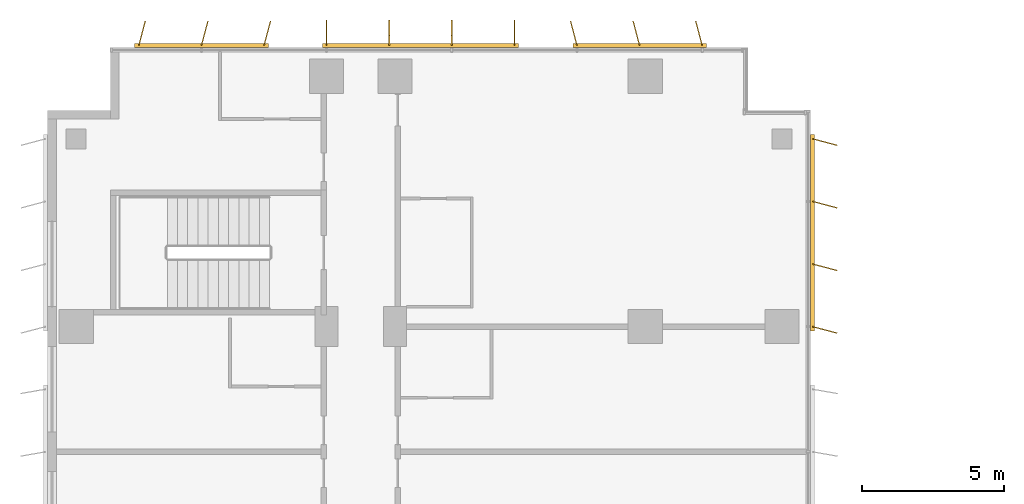
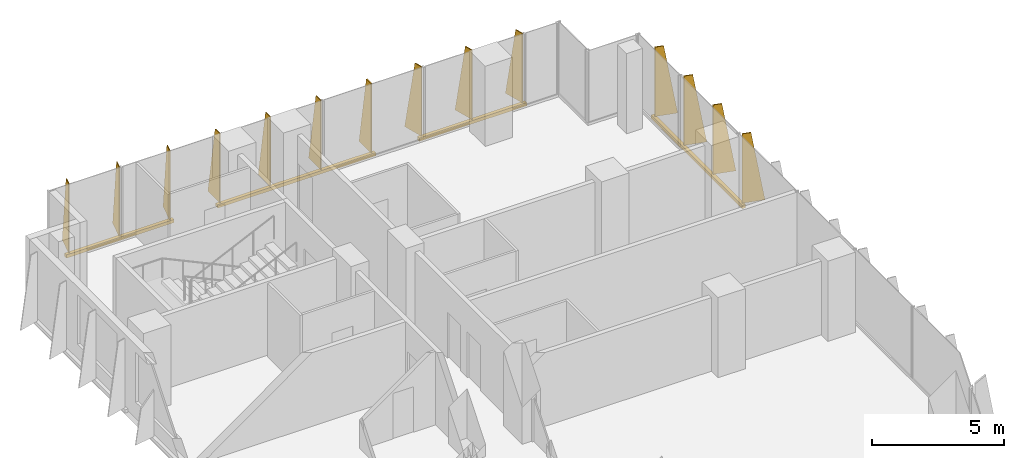
# One storey, part 23 of 23: 4 shading devices.
"""IFC4 building model written with IfcOpenShell, lengths in metres."""

from ifc_helpers import new_model, si_unit, direction, frame, origin, origin_2d, place, context, subcontext, project, spatial, polyline, rectangle, outline, extrude, source, transform, mapped, material, layer, layer_set, type_object, element, save


model = new_model("IFC4")

# Units and contexts
model_context = context("Model", 3, precision=1e-05, world=origin(), true_north=direction((0.0, 1.0)))
body_context = subcontext(model_context, "Body", "Model", "MODEL_VIEW")
ifc_project = project(units=[si_unit("LENGTHUNIT", "METRE"), si_unit("AREAUNIT", "SQUARE_METRE"), si_unit("VOLUMEUNIT", "CUBIC_METRE"), si_unit("PLANEANGLEUNIT", "RADIAN"), si_unit("MASSUNIT", "GRAM", prefix="KILO")], contexts=[model_context])

# Site, building, storey
site_placement = place(None, origin())
site = spatial("IfcSite", under=ifc_project, at=site_placement, CompositionType="ELEMENT")
building_placement = place(site_placement, origin())
building = spatial("IfcBuilding", under=site, at=building_placement, Name="Kemantara Hotel Tower", CompositionType="ELEMENT")
storey_placement = place(building_placement, frame((0.0, 0.0, 118.5)))
storey = spatial("IfcBuildingStorey", under=building, at=storey_placement, Name="L28", CompositionType="ELEMENT", Elevation=118.5)

# Shading devices
ifc_material = material(Name="Perforated aluminium plate 4 mm bronze anodised", Category="aluminium")
ifc_layer_1 = layer(ifc_material, 0.0400390625)
ifc_layer_set_1 = layer_set([ifc_layer_1], Name="Perforated aluminium plate 4 mm bronze anodised")
shading_device_type_1 = type_object("IfcShadingDeviceType", Name="SCREEN FIN CASSETTE, 3 BLADES AT -15.0 DEG, 3200 HIGH", PredefinedType="USERDEFINED", material=ifc_layer_set_1)
shared_shape_1 = source(origin(), body_context, "Body", "SweptSolid", [
    extrude(rectangle(XDim=4.699951171875, YDim=0.14990234375, at=origin_2d()), frame((2.199951171875, -0.074951171875, -0.14990234375), z_axis=(0.0, 0.0, 1.0), x_axis=(1.0, 0.0, 0.0)), (0.0, 0.0, 1.0), 0.14990234375),
    extrude(outline(polyline([(0.0, 0.0), (0.89990234375, 0.0), (0.35009765625, 3.199951171875), (0.0, 3.199951171875), (0.0, 0.0)])), frame((0.019287109375, -0.080078125, 0.0), z_axis=(-0.966437683387, 0.256901156343, 0.0), x_axis=(-0.256901156343, -0.966437683387, 0.0)), (0.0, 0.0, 1.0), 0.039794921875),
    extrude(outline(polyline([(0.0, 0.0), (0.89990234375, 0.0), (0.35009765625, 3.199951171875), (0.0, 3.199951171875), (0.0, 0.0)])), frame((2.21923828125, -0.080078125, 0.0), z_axis=(-0.966437683387, 0.256901156343, 0.0), x_axis=(-0.256901156343, -0.966437683387, 0.0)), (0.0, 0.0, 1.0), 0.039794921875),
    extrude(outline(polyline([(0.0, 0.0), (0.89990234375, 0.0), (0.35009765625, 3.199951171875), (0.0, 3.199951171875), (0.0, 0.0)])), frame((4.41943359375, -0.080078125, 0.0), z_axis=(-0.966837822169, 0.255391122837, 0.0), x_axis=(-0.255391122837, -0.966837822169, 0.0)), (0.0, 0.0, 1.0), 0.0400390625),
])
shading_device_1_placement = place(storey_placement, frame((7.60009765625, 81.199951171875, 0.10009765625), z_axis=(0.0, 0.0, 1.0), x_axis=(-1.0, 0.0, 0.0)))
element("IfcShadingDevice", 1, at=shading_device_1_placement, inside=storey, type_object=shading_device_type_1, Name="SCREEN FIN CASSETTE L28 T2-R01-3", ObjectType="SCREEN FIN", PredefinedType="USERDEFINED", context=body_context, shape_type="MappedRepresentation", body=[
    mapped(shared_shape_1, transform((0.0, 0.0, 0.0))),
])
ifc_layer_2 = layer(ifc_material, 0.0400390625)
ifc_layer_set_2 = layer_set([ifc_layer_2], Name="Perforated aluminium plate 4 mm bronze anodised")
shading_device_type_2 = type_object("IfcShadingDeviceType", Name="SCREEN FIN CASSETTE, 4 BLADES AT +0.0 DEG, 3200 HIGH", PredefinedType="USERDEFINED", material=ifc_layer_set_2)
shared_shape_2 = source(origin(), body_context, "Body", "SweptSolid", [
    extrude(rectangle(XDim=6.89990234375, YDim=0.14990234375, at=origin_2d()), frame((3.300048828125, -0.074951171875, -0.14990234375), z_axis=(0.0, 0.0, 1.0), x_axis=(1.0, 0.0, 0.0)), (0.0, 0.0, 1.0), 0.14990234375),
    extrude(outline(polyline([(0.0, 0.0), (0.89990234375, 0.0), (0.35009765625, 3.199951171875), (0.0, 3.199951171875), (0.0, 0.0)])), frame((0.02001953125, -0.074951171875, 0.0), z_axis=(-1.0, 0.0, 0.0), x_axis=(0.0, -1.0, 0.0)), (0.0, 0.0, 1.0), 0.0400390625),
    extrude(outline(polyline([(0.0, 0.0), (0.89990234375, 0.0), (0.35009765625, 3.199951171875), (0.0, 3.199951171875), (0.0, 0.0)])), frame((2.219970703125, -0.074951171875, 0.0), z_axis=(-1.0, 0.0, 0.0), x_axis=(0.0, -1.0, 0.0)), (0.0, 0.0, 1.0), 0.0400390625),
    extrude(outline(polyline([(0.0, 0.0), (0.89990234375, 0.0), (0.35009765625, 3.199951171875), (0.0, 3.199951171875), (0.0, 0.0)])), frame((4.419921875, -0.074951171875, 0.0), z_axis=(-1.0, 0.0, 0.0), x_axis=(0.0, -1.0, 0.0)), (0.0, 0.0, 1.0), 0.0400390625),
    extrude(outline(polyline([(0.0, 0.0), (0.89990234375, 0.0), (0.35009765625, 3.199951171875), (0.0, 3.199951171875), (0.0, 0.0)])), frame((6.6201171875, -0.074951171875, 0.0), z_axis=(-1.0, 0.0, 0.0), x_axis=(0.0, -1.0, 0.0)), (0.0, 0.0, 1.0), 0.0400390625),
])
shading_device_2_placement = place(storey_placement, frame((16.39990234375, 81.199951171875, 0.10009765625), z_axis=(0.0, 0.0, 1.0), x_axis=(-1.0, 0.0, 0.0)))
element("IfcShadingDevice", 2, at=shading_device_2_placement, inside=storey, type_object=shading_device_type_2, Name="SCREEN FIN CASSETTE L28 T2-R01-2", ObjectType="SCREEN FIN", PredefinedType="USERDEFINED", context=body_context, shape_type="MappedRepresentation", body=[
    mapped(shared_shape_2, transform((0.0, 0.0, 0.0))),
])
ifc_layer_3 = layer(ifc_material, 0.0400390625)
ifc_layer_set_3 = layer_set([ifc_layer_3], Name="Perforated aluminium plate 4 mm bronze anodised")
shading_device_type_3 = type_object("IfcShadingDeviceType", Name="SCREEN FIN CASSETTE, 3 BLADES AT +15.0 DEG, 3200 HIGH", PredefinedType="USERDEFINED", material=ifc_layer_set_3)
shared_shape_3 = source(origin(), body_context, "Body", "SweptSolid", [
    extrude(rectangle(XDim=4.699951171875, YDim=0.14990234375, at=origin_2d()), frame((2.199951171875, -0.074951171875, -0.14990234375), z_axis=(0.0, 0.0, 1.0), x_axis=(1.0, 0.0, 0.0)), (0.0, 0.0, 1.0), 0.14990234375),
    extrude(outline(polyline([(0.0, 0.0), (0.89990234375, 0.0), (0.35009765625, 3.199951171875), (0.0, 3.199951171875), (0.0, 0.0)])), frame((0.019287109375, -0.06982421875, 0.0), z_axis=(-0.966437683387, -0.256901156343, 0.0), x_axis=(0.256901156343, -0.966437683387, 0.0)), (0.0, 0.0, 1.0), 0.039794921875),
    extrude(outline(polyline([(0.0, 0.0), (0.89990234375, 0.0), (0.35009765625, 3.199951171875), (0.0, 3.199951171875), (0.0, 0.0)])), frame((2.21923828125, -0.06982421875, 0.0), z_axis=(-0.966437683387, -0.256901156343, 0.0), x_axis=(0.256901156343, -0.966437683387, 0.0)), (0.0, 0.0, 1.0), 0.039794921875),
    extrude(outline(polyline([(0.0, 0.0), (0.89990234375, 0.0), (0.35009765625, 3.199951171875), (0.0, 3.199951171875), (0.0, 0.0)])), frame((4.41943359375, -0.06982421875, 0.0), z_axis=(-0.966837822169, -0.255391122837, 0.0), x_axis=(0.255391122837, -0.966837822169, 0.0)), (0.0, 0.0, 1.0), 0.0400390625),
])
shading_device_3_placement = place(storey_placement, frame((23.0, 81.199951171875, 0.10009765625), z_axis=(0.0, 0.0, 1.0), x_axis=(-1.0, 0.0, 0.0)))
element("IfcShadingDevice", 3, at=shading_device_3_placement, inside=storey, type_object=shading_device_type_3, Name="SCREEN FIN CASSETTE L28 T2-R01-1", ObjectType="SCREEN FIN", PredefinedType="USERDEFINED", context=body_context, shape_type="MappedRepresentation", body=[
    mapped(shared_shape_3, transform((0.0, 0.0, 0.0))),
])
ifc_layer_4 = layer(ifc_material, 0.0400390625)
ifc_layer_set_4 = layer_set([ifc_layer_4], Name="Perforated aluminium plate 4 mm bronze anodised")
shading_device_type_4 = type_object("IfcShadingDeviceType", Name="SCREEN FIN CASSETTE, 4 BLADES AT -15.0 DEG, 3200 HIGH", PredefinedType="USERDEFINED", material=ifc_layer_set_4)
shared_shape_4 = source(origin(), body_context, "Body", "SweptSolid", [
    extrude(rectangle(XDim=6.89990234375, YDim=0.14990234375, at=origin_2d()), frame((3.300048828125, -0.074951171875, -0.14990234375), z_axis=(0.0, 0.0, 1.0), x_axis=(1.0, 0.0, 0.0)), (0.0, 0.0, 1.0), 0.14990234375),
    extrude(outline(polyline([(0.0, 0.0), (0.89990234375, 0.0), (0.35009765625, 3.199951171875), (0.0, 3.199951171875), (0.0, 0.0)])), frame((0.019287109375, -0.080078125, 0.0), z_axis=(-0.966437683387, 0.256901156343, 0.0), x_axis=(-0.256901156343, -0.966437683387, 0.0)), (0.0, 0.0, 1.0), 0.039794921875),
    extrude(outline(polyline([(0.0, 0.0), (0.89990234375, 0.0), (0.35009765625, 3.199951171875), (0.0, 3.199951171875), (0.0, 0.0)])), frame((2.21923828125, -0.080078125, 0.0), z_axis=(-0.966437683387, 0.256901156343, 0.0), x_axis=(-0.256901156343, -0.966437683387, 0.0)), (0.0, 0.0, 1.0), 0.039794921875),
    extrude(outline(polyline([(0.0, 0.0), (0.89990234375, 0.0), (0.35009765625, 3.199951171875), (0.0, 3.199951171875), (0.0, 0.0)])), frame((4.41943359375, -0.080078125, 0.0), z_axis=(-0.966837822169, 0.255391122837, 0.0), x_axis=(-0.255391122837, -0.966837822169, 0.0)), (0.0, 0.0, 1.0), 0.0400390625),
    extrude(outline(polyline([(0.0, 0.0), (0.89990234375, 0.0), (0.35009765625, 3.199951171875), (0.0, 3.199951171875), (0.0, 0.0)])), frame((6.619384765625, -0.080078125, 0.0), z_axis=(-0.966837822169, 0.255391122837, 0.0), x_axis=(-0.255391122837, -0.966837822169, 0.0)), (0.0, 0.0, 1.0), 0.0400390625),
])
shading_device_4_placement = place(storey_placement, frame((26.800048828125, 71.39990234375, 0.10009765625), z_axis=(0.0, 0.0, 1.0), x_axis=(0.0, 1.0, 0.0)))
element("IfcShadingDevice", 4, at=shading_device_4_placement, inside=storey, type_object=shading_device_type_4, Name="SCREEN FIN CASSETTE L28 T2-R14-7", ObjectType="SCREEN FIN", PredefinedType="USERDEFINED", context=body_context, shape_type="MappedRepresentation", body=[
    mapped(shared_shape_4, transform((0.0, 0.0, 0.0))),
])

save(model, "model.ifc")
